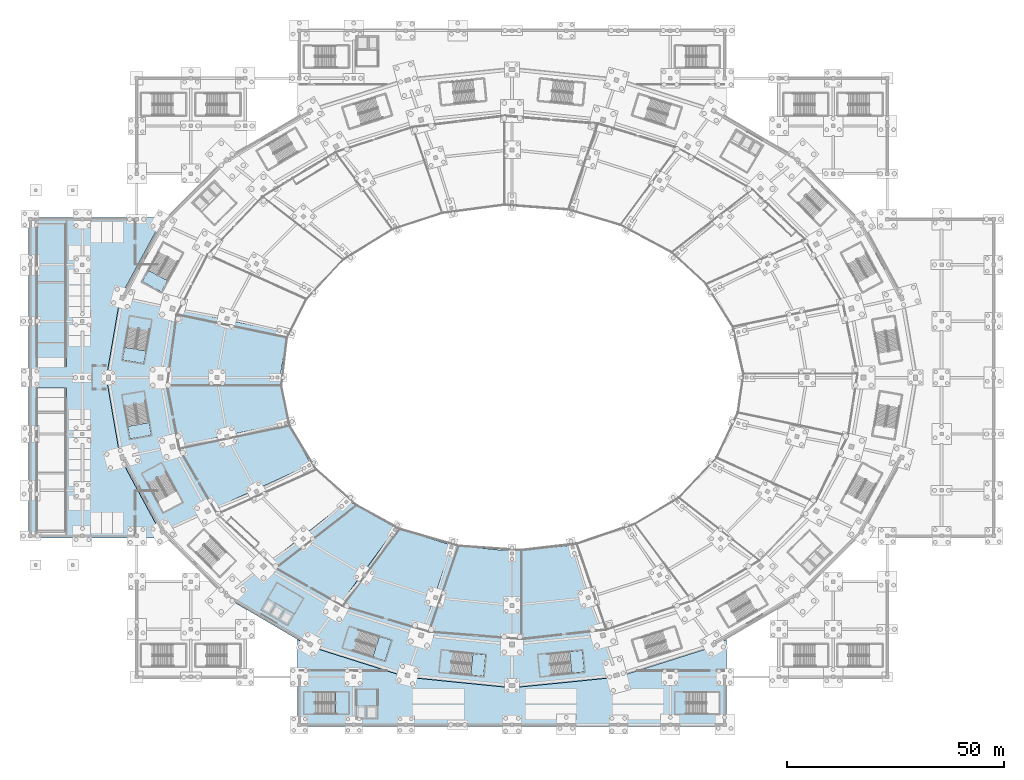
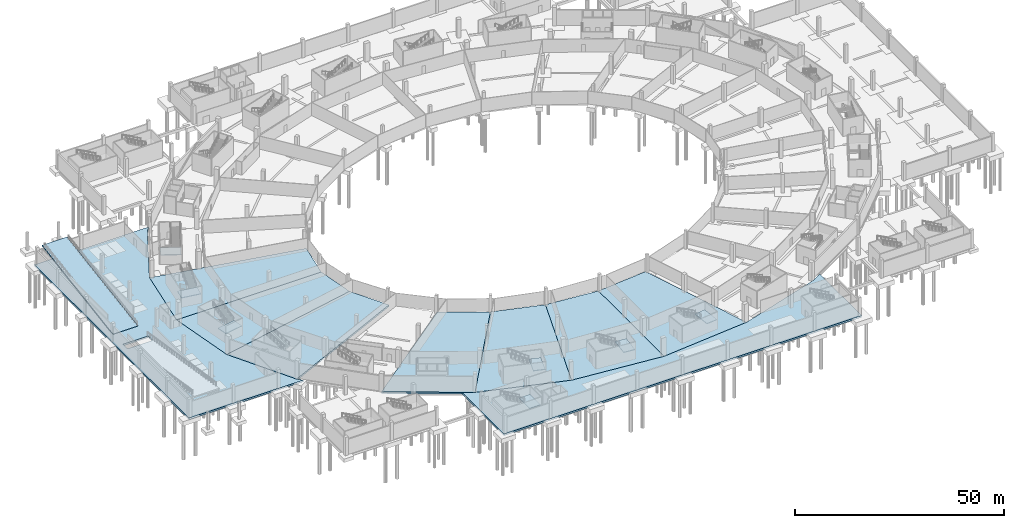
# One storey, part 16 of 74: 17 slabs, 7 elements without a shape of their own.
"""IFC4 building model written with IfcOpenShell, lengths in metres."""

from ifc_helpers import new_model, si_unit, direction, frame, origin, place, context, subcontext, project, spatial, polyline, outline, extrude, material, layer, layer_set, type_object, element, aggregate, save


model = new_model("IFC4")

# Units and contexts
model_context = context("Model", 3, precision=1e-05, world=origin(), true_north=direction((0.0, 1.0)))
body_context = subcontext(model_context, "Body", "Model", "MODEL_VIEW")
ifc_project = project(units=[si_unit("LENGTHUNIT", "METRE"), si_unit("AREAUNIT", "SQUARE_METRE"), si_unit("VOLUMEUNIT", "CUBIC_METRE"), si_unit("PLANEANGLEUNIT", "RADIAN"), si_unit("MASSUNIT", "GRAM", prefix="KILO")], contexts=[model_context])

# Site, building, storey
site_placement = place(None, origin())
site = spatial("IfcSite", under=ifc_project, at=site_placement, CompositionType="ELEMENT")
building_placement = place(site_placement, origin())
building = spatial("IfcBuilding", under=site, at=building_placement, Name="Zlatoyarsky Gate Stadium", CompositionType="ELEMENT")
storey_placement = place(building_placement, frame((0.0, 0.0, -5.39990234375)))
storey = spatial("IfcBuildingStorey", under=building, at=storey_placement, Name="B1", CompositionType="ELEMENT", Elevation=-5.39990234375)

# Slabs
ifc_material_1 = material(Name="Concrete C35/45", Category="concrete")
ifc_layer_1 = layer(ifc_material_1, 0.5)
ifc_layer_set_1 = layer_set([ifc_layer_1], Name="Concrete C35/45")
slab_type_1 = type_object("IfcSlabType", Name="CONCRETE BASE SLAB 500", PredefinedType="BASESLAB", material=ifc_layer_set_1)
slab_1_placement = place(storey_placement, frame((0.0, 0.0, -0.5)))
element("IfcSlab", 1, at=slab_1_placement, inside=storey, type_object=slab_type_1, Name="B1 bowl sector 11 slab", PredefinedType="BASESLAB", context=body_context, shape_type="SweptSolid", body=[
    extrude(outline(polyline([(57.5, 80.0), (17.5, 80.0), (20.685791015625, 98.505615234375), (59.322998046875, 90.352783203125), (57.5, 80.0)])), origin(), (0.0, 0.0, 1.0), 0.5),
])
slab_2_placement = place(storey_placement, frame((0.0, 0.0, -0.5)))
element("IfcSlab", 2, at=slab_2_placement, inside=storey, type_object=slab_type_1, Name="B1 bowl sector 12 slab", PredefinedType="BASESLAB", context=body_context, shape_type="SweptSolid", body=[
    extrude(outline(polyline([(59.322998046875, 69.647216796875), (20.685791015625, 61.494384765625), (17.5, 80.0), (57.5, 80.0), (59.322998046875, 69.647216796875)])), origin(), (0.0, 0.0, 1.0), 0.5),
])
slab_3_placement = place(storey_placement, frame((0.0, 0.0, -0.5)))
element("IfcSlab", 3, at=slab_3_placement, inside=storey, type_object=slab_type_1, Name="B1 bowl sector 13 slab", PredefinedType="BASESLAB", context=body_context, shape_type="SweptSolid", body=[
    extrude(outline(polyline([(64.66748046875, 60.0), (30.026611328125, 44.25), (20.685791015625, 61.494384765625), (59.322998046875, 69.647216796875), (64.66748046875, 60.0)])), origin(), (0.0, 0.0, 1.0), 0.5),
])
slab_4_placement = place(storey_placement, frame((0.0, 0.0, -0.5)))
element("IfcSlab", 4, at=slab_4_placement, inside=storey, type_object=slab_type_1, Name="B1 bowl sector 15 slab", PredefinedType="BASESLAB", context=body_context, shape_type="SweptSolid", body=[
    extrude(outline(polyline([(84.25, 45.35888671875), (64.25, 18.0791015625), (44.885498046875, 29.44189453125), (73.169921875, 51.7158203125), (84.25, 45.35888671875)])), origin(), (0.0, 0.0, 1.0), 0.5),
])
slab_5_placement = place(storey_placement, frame((0.0, 0.0, -0.5)))
element("IfcSlab", 5, at=slab_5_placement, inside=storey, type_object=slab_type_1, Name="B1 bowl sector 16 slab", PredefinedType="BASESLAB", context=body_context, shape_type="SweptSolid", body=[
    extrude(outline(polyline([(97.1533203125, 41.363037109375), (86.80029296875, 10.936279296875), (64.25, 18.0791015625), (84.25, 45.35888671875), (97.1533203125, 41.363037109375)])), origin(), (0.0, 0.0, 1.0), 0.5),
])
slab_6_placement = place(storey_placement, frame((0.0, 0.0, -0.5)))
element("IfcSlab", 6, at=slab_6_placement, inside=storey, type_object=slab_type_1, Name="B1 bowl sector 17 slab", PredefinedType="BASESLAB", context=body_context, shape_type="SweptSolid", body=[
    extrude(outline(polyline([(111.0, 40.0), (111.0, 8.5), (86.80029296875, 10.936279296875), (97.1533203125, 41.363037109375), (111.0, 40.0)])), origin(), (0.0, 0.0, 1.0), 0.5),
])
slab_7_placement = place(storey_placement, frame((0.0, 0.0, -0.5)))
element("IfcSlab", 7, at=slab_7_placement, inside=storey, type_object=slab_type_1, Name="B1 bowl sector 18 slab", PredefinedType="BASESLAB", context=body_context, shape_type="SweptSolid", body=[
    extrude(outline(polyline([(124.8466796875, 41.363037109375), (135.19970703125, 10.936279296875), (111.0, 8.5), (111.0, 40.0), (124.8466796875, 41.363037109375)])), origin(), (0.0, 0.0, 1.0), 0.5),
])
slab_8_placement = place(storey_placement, frame((0.0, 0.0, -0.5)))
element("IfcSlab", 8, at=slab_8_placement, inside=storey, type_object=slab_type_1, Name="B1 wing V3_SOUTH slab", PredefinedType="BASESLAB", context=body_context, shape_type="SweptSolid", body=[
    extrude(outline(polyline([(61.550048828125, 19.66357421875), (64.25, 18.0791015625), (86.80029296875, 10.936279296875), (111.0, 8.5), (135.19970703125, 10.936279296875), (157.75, 18.0791015625), (160.449951171875, 19.66357421875), (160.449951171875, -0.449951171875), (61.550048828125, -0.449951171875), (61.550048828125, 19.66357421875)])), origin(), (0.0, 0.0, 1.0), 0.5),
])
slab_9_placement = place(storey_placement, frame((0.0, 0.0, -0.5)))
element("IfcSlab", 9, at=slab_9_placement, inside=storey, type_object=slab_type_1, Name="B1 wing V4_WEST slab", PredefinedType="BASESLAB", context=body_context, shape_type="SweptSolid", body=[
    extrude(outline(polyline([(31.230712890625, 116.949951171875), (30.026611328125, 115.75), (20.685791015625, 98.505615234375), (17.5, 80.0), (20.685791015625, 61.494384765625), (30.026611328125, 44.25), (31.230712890625, 43.050048828125), (-0.449951171875, 43.050048828125), (-0.449951171875, 116.949951171875), (31.230712890625, 116.949951171875)]), holes=[polyline([(8.27001953125, 77.60009765625), (1.330078125, 77.60009765625), (1.330078125, 75.449951171875), (8.27001953125, 75.449951171875), (8.27001953125, 77.60009765625)]), polyline([(8.27001953125, 84.550048828125), (1.330078125, 84.550048828125), (1.330078125, 82.39990234375), (8.27001953125, 82.39990234375), (8.27001953125, 84.550048828125)])]), origin(), (0.0, 0.0, 1.0), 0.5),
])

# Stair, slab
ifc_material_2 = material(Name="Concrete C40/50", Category="concrete")
stair_type = type_object("IfcStairType", Name="CONCRETE DOGLEG EXIT STAIR H5400", PredefinedType="TWO_STRAIGHT_RUN_STAIR", material=ifc_material_2)
stair_1_placement = place(storey_placement, origin())
stair_1 = element("IfcStair", 10, at=stair_1_placement, inside=storey, type_object=stair_type, Name="B1 Exit Stair ST-06", PredefinedType="TWO_STRAIGHT_RUN_STAIR")
ifc_layer_2 = layer(ifc_material_2, 0.199951171875)
ifc_layer_set_2 = layer_set([ifc_layer_2], Name="Concrete C40/50")
slab_type_2 = type_object("IfcSlabType", Name="CONCRETE STAIR LANDING SLAB 200", PredefinedType="LANDING", material=ifc_layer_set_2)
slab_10_placement = place(storey_placement, frame((0.0, 0.0, 2.5)))
slab_10 = element("IfcSlab", 11, at=slab_10_placement, type_object=slab_type_2, Name="ST-DG54 landing 1", PredefinedType="LANDING", context=body_context, shape_type="SweptSolid", body=[
    extrude(outline(polyline([(27.2080078125, 104.726806640625), (25.80126953125, 102.1337890625), (30.196044921875, 99.749267578125), (31.602783203125, 102.34228515625), (27.2080078125, 104.726806640625)])), origin(), (0.0, 0.0, 1.0), 0.199951171875),
])
aggregate(stair_1, [slab_10])

stair_2_placement = place(storey_placement, origin())
stair_2 = element("IfcStair", 12, at=stair_2_placement, inside=storey, type_object=stair_type, Name="B1 Exit Stair ST-07", PredefinedType="TWO_STRAIGHT_RUN_STAIR")
slab_11_placement = place(storey_placement, frame((0.0, 0.0, 2.5)))
slab_11 = element("IfcSlab", 13, at=slab_11_placement, type_object=slab_type_2, Name="ST-DG54 landing 1", PredefinedType="LANDING", context=body_context, shape_type="SweptSolid", body=[
    extrude(outline(polyline([(22.4404296875, 68.78466796875), (22.941650390625, 65.87744140625), (27.868896484375, 66.727294921875), (27.36767578125, 69.63427734375), (22.4404296875, 68.78466796875)])), origin(), (0.0, 0.0, 1.0), 0.199951171875),
])
aggregate(stair_2, [slab_11])

stair_3_placement = place(storey_placement, origin())
stair_3 = element("IfcStair", 14, at=stair_3_placement, inside=storey, type_object=stair_type, Name="B1 Exit Stair ST-09", PredefinedType="TWO_STRAIGHT_RUN_STAIR")
slab_12_placement = place(storey_placement, frame((0.0, 0.0, 2.5)))
slab_12 = element("IfcSlab", 15, at=slab_12_placement, type_object=slab_type_2, Name="ST-DG54 landing 1", PredefinedType="LANDING", context=body_context, shape_type="SweptSolid", body=[
    extrude(outline(polyline([(78.92333984375, 15.588623046875), (81.736083984375, 14.69921875), (83.24365234375, 19.46630859375), (80.430908203125, 20.35595703125), (78.92333984375, 15.588623046875)])), origin(), (0.0, 0.0, 1.0), 0.199951171875),
])
aggregate(stair_3, [slab_12])

stair_4_placement = place(storey_placement, origin())
stair_4 = element("IfcStair", 16, at=stair_4_placement, inside=storey, type_object=stair_type, Name="B1 Exit Stair ST-10", PredefinedType="TWO_STRAIGHT_RUN_STAIR")
slab_13_placement = place(storey_placement, frame((0.0, 0.0, 2.5)))
slab_13 = element("IfcSlab", 17, at=slab_13_placement, type_object=slab_type_2, Name="ST-DG54 landing 1", PredefinedType="LANDING", context=body_context, shape_type="SweptSolid", body=[
    extrude(outline(polyline([(124.77197265625, 11.859130859375), (127.707275390625, 12.154296875), (127.207275390625, 17.129150390625), (124.27197265625, 16.834228515625), (124.77197265625, 11.859130859375)])), origin(), (0.0, 0.0, 1.0), 0.199951171875),
])
aggregate(stair_4, [slab_13])

stair_5_placement = place(storey_placement, origin())
stair_5 = element("IfcStair", 18, at=stair_5_placement, inside=storey, type_object=stair_type, Name="B1 Exit Stair ST-18", PredefinedType="TWO_STRAIGHT_RUN_STAIR")
slab_14_placement = place(storey_placement, frame((0.0, 0.0, 2.5)))
slab_14 = element("IfcSlab", 19, at=slab_14_placement, type_object=slab_type_2, Name="ST-DG54 landing 1", PredefinedType="LANDING", context=body_context, shape_type="SweptSolid", body=[
    extrude(outline(polyline([(21.70947265625, 86.977783203125), (21.208251953125, 84.07080078125), (26.135498046875, 83.22119140625), (26.63671875, 86.128173828125), (21.70947265625, 86.977783203125)])), origin(), (0.0, 0.0, 1.0), 0.199951171875),
])
aggregate(stair_5, [slab_14])

stair_6_placement = place(storey_placement, origin())
stair_6 = element("IfcStair", 20, at=stair_6_placement, inside=storey, type_object=stair_type, Name="B1 Exit Stair ST-19", PredefinedType="TWO_STRAIGHT_RUN_STAIR")
slab_15_placement = place(storey_placement, frame((0.0, 0.0, 2.5)))
slab_15 = element("IfcSlab", 21, at=slab_15_placement, type_object=slab_type_2, Name="ST-DG54 landing 1", PredefinedType="LANDING", context=body_context, shape_type="SweptSolid", body=[
    extrude(outline(polyline([(101.50634765625, 11.42919921875), (104.441650390625, 11.134033203125), (104.941650390625, 16.109130859375), (102.00634765625, 16.404052734375), (101.50634765625, 11.42919921875)])), origin(), (0.0, 0.0, 1.0), 0.199951171875),
])
aggregate(stair_6, [slab_15])

stair_7_placement = place(storey_placement, origin())
stair_7 = element("IfcStair", 22, at=stair_7_placement, inside=storey, type_object=stair_type, Name="B1 Exit Stair ST-29", PredefinedType="TWO_STRAIGHT_RUN_STAIR")
slab_16_placement = place(storey_placement, frame((0.0, 0.0, 2.5)))
slab_16 = element("IfcSlab", 23, at=slab_16_placement, type_object=slab_type_2, Name="ST-DG54 landing 1", PredefinedType="LANDING", context=body_context, shape_type="SweptSolid", body=[
    extrude(outline(polyline([(70.35009765625, 2.5), (73.300048828125, 2.5), (73.300048828125, 7.5), (70.35009765625, 7.5), (70.35009765625, 2.5)])), origin(), (0.0, 0.0, 1.0), 0.199951171875),
])
aggregate(stair_7, [slab_16])

# Slab
ifc_layer_3 = layer(ifc_material_1, 0.300048828125)
ifc_layer_set_3 = layer_set([ifc_layer_3], Name="Concrete C35/45")
slab_type_3 = type_object("IfcSlabType", Name="CONCRETE VEHICLE RAMP SLAB 300", PredefinedType="FLOOR", material=ifc_layer_set_3)
slab_17_placement = place(storey_placement, frame((1.35009765625, 82.4599609375, 0.0), z_axis=(0.0, -0.156944861639, 0.98760736652), x_axis=(1.0, 0.0, 0.0)))
element("IfcSlab", 24, at=slab_17_placement, inside=storey, type_object=slab_type_3, Name="B1 to L00 vehicle exit ramp structural slab VR-02", PredefinedType="FLOOR", context=body_context, shape_type="SweptSolid", body=[
    extrude(outline(polyline([(0.0, 0.0), (6.89990234375, 0.0), (6.89990234375, 34.40636595135656), (0.0, 34.40636595135656), (0.0, 0.0)])), origin(), (0.0, 0.0, -1.0), 0.300048828125),
])

save(model, "model.ifc")
